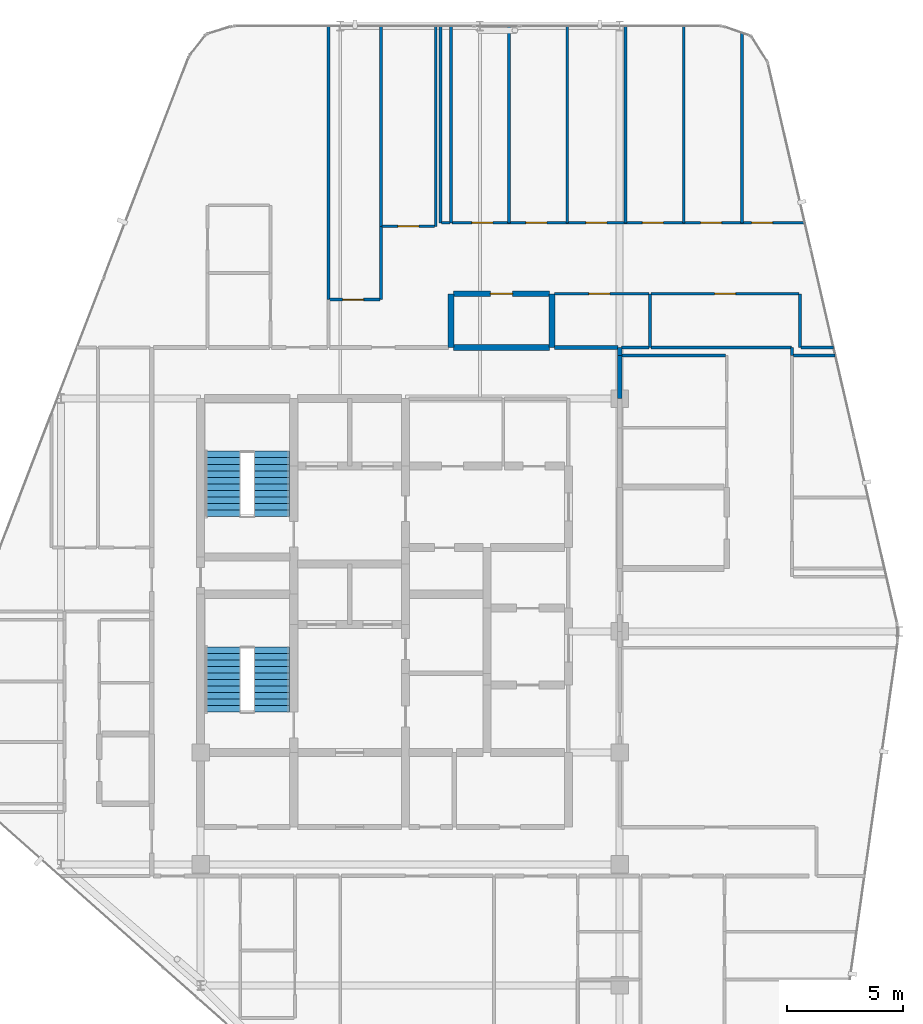
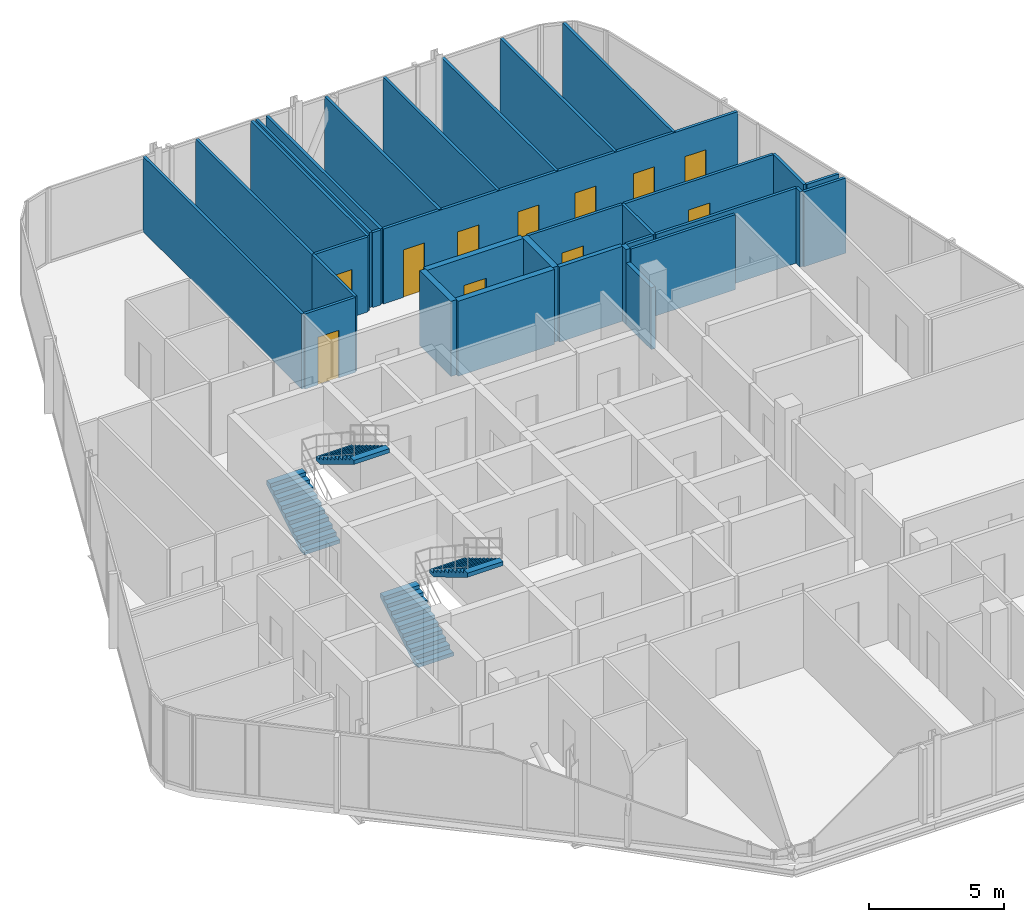
# One storey, part 29 of 30: 32 walls, 11 doors, 4 stair flights, 11 openings, 2 elements without a shape of their own.
"""IFC4 building model written with IfcOpenShell, lengths in metres."""

import ifcopenshell
import ifcopenshell.guid

model = None  # the IFC model being written
_history = None  # IfcOwnerHistory: only IFC2X3 demands one
_inside = {}  # id of a spatial element -> (the spatial element, [elements in it])
_under = {}  # id of a project, library or spatial element -> (it, [spatial elements below it])
_declared = {}  # id of a project -> (the project, [libraries it declares])
_typed = {}  # id of a type object -> (the type object, [elements of that type])
_made_of = {}  # id of a material, layer set ... -> (it, [elements and type objects made of it])


def new_model(schema):
    """Start an empty IFC model of exactly this schema.

    Asked for "IFC4X3", IfcOpenShell would pick the latest addendum, in which some entities
    have other attributes; the version numbers below select the first issue.
    IFC2X3 requires an IfcOwnerHistory on every rooted entity: one is made here for all.
    """
    global model, _history
    if schema == "IFC4X3":
        model = ifcopenshell.file(schema_version=(4, 3, 0, 0))
    else:
        model = ifcopenshell.file(schema=schema)
    _inside.clear()
    _under.clear()
    _declared.clear()
    _typed.clear()
    _made_of.clear()
    _history = None
    if model.schema == "IFC2X3":
        org = make("IfcOrganization", Name="unknown")
        user = make(
            "IfcPersonAndOrganization",
            ThePerson=make("IfcPerson", FamilyName="unknown"),
            TheOrganization=org,
        )
        app = make(
            "IfcApplication",
            ApplicationDeveloper=org,
            Version="unknown",
            ApplicationFullName="unknown",
            ApplicationIdentifier="unknown",
        )
        _history = make(
            "IfcOwnerHistory",
            OwningUser=user,
            OwningApplication=app,
            ChangeAction="ADDED",
            CreationDate=0,
        )
    return model


def make(cls, **values):
    """One entity of the class cls with the attributes given. An attribute that is None is left unset."""
    return model.create_entity(
        cls, **{name: value for name, value in values.items() if value is not None}
    )


def rooted(cls, **values):
    """An entity with a GlobalId (a new one), such as an element, a storey or a relation."""
    return make(cls, GlobalId=ifcopenshell.guid.new(), OwnerHistory=_history, **values)


def si_unit(unit_type, name, prefix=None):
    """IfcSIUnit, for example si_unit("LENGTHUNIT", "METRE", prefix="MILLI")."""
    return make("IfcSIUnit", UnitType=unit_type, Prefix=prefix, Name=name)


def assignment(units):
    """IfcUnitAssignment: the units of a project."""
    return None if units is None else make("IfcUnitAssignment", Units=units)


def point(xyz):
    """IfcCartesianPoint."""
    return None if xyz is None else make("IfcCartesianPoint", Coordinates=xyz)


def direction(xyz):
    """IfcDirection."""
    return None if xyz is None else make("IfcDirection", DirectionRatios=xyz)


def frame(location, z_axis=None, x_axis=None):
    """IfcAxis2Placement3D, a coordinate frame: its origin and axes. An axis left out is left unset."""
    return make(
        "IfcAxis2Placement3D",
        Location=point(location),
        Axis=direction(z_axis),
        RefDirection=direction(x_axis),
    )


def frame_2d(location, x_axis=None):
    """IfcAxis2Placement2D, a coordinate frame in the plane: its origin and x axis."""
    return make(
        "IfcAxis2Placement2D", Location=point(location), RefDirection=direction(x_axis)
    )


def origin():
    """The frame at (0, 0, 0) with its axes left unset."""
    return frame((0.0, 0.0, 0.0))


def place(relative_to, where):
    """IfcLocalPlacement: puts the frame where relative to a parent placement (None: the world)."""
    return make(
        "IfcLocalPlacement", PlacementRelTo=relative_to, RelativePlacement=where
    )


def context(
    kind, dimensions, precision=None, world=None, true_north=None, identifier=None
):
    """IfcGeometricRepresentationContext, for example the 3D "Model" context."""
    return make(
        "IfcGeometricRepresentationContext",
        ContextIdentifier=identifier,
        ContextType=kind,
        CoordinateSpaceDimension=dimensions,
        Precision=precision,
        WorldCoordinateSystem=world,
        TrueNorth=true_north,
    )


def subcontext(parent, identifier, kind, view, scale=None):
    """IfcGeometricRepresentationSubContext, for example "Body" below "Model"."""
    return make(
        "IfcGeometricRepresentationSubContext",
        ContextIdentifier=identifier,
        ContextType=kind,
        ParentContext=parent,
        TargetScale=scale,
        TargetView=view,
    )


def project(units=None, contexts=None):
    """IfcProject with its units and contexts."""
    return rooted(
        "IfcProject",
        Name="project",
        RepresentationContexts=contexts,
        UnitsInContext=assignment(units),
    )


def spatial(cls, under=None, at=None, **own):
    """A site, building, storey or space (cls), placed at a placement, below another one or the project."""
    s = rooted(cls, ObjectPlacement=at, **own)
    if under is not None:
        _under.setdefault(under.id(), (under, []))[1].append(s)
    return s


def polyline(points):
    """IfcPolyline through the points."""
    return make("IfcPolyline", Points=[point(p) for p in points])


def profile(cls, at=None, kind="AREA", **sizes):
    """A parametric profile (cls). Its sizes go by their IFC names, for example OverallWidth=200.0."""
    return make(cls, ProfileType=kind, Position=at, **sizes)


def rectangle(**sizes):
    """IfcRectangleProfileDef."""
    return profile("IfcRectangleProfileDef", **sizes)


def outline(outer, holes=None, kind="AREA"):
    """IfcArbitraryClosedProfileDef: a profile drawn as a closed curve; with holes, ...WithVoids."""
    if holes is None:
        return make("IfcArbitraryClosedProfileDef", ProfileType=kind, OuterCurve=outer)
    return make(
        "IfcArbitraryProfileDefWithVoids",
        ProfileType=kind,
        OuterCurve=outer,
        InnerCurves=holes,
    )


def extrude(swept, where, along, depth):
    """IfcExtrudedAreaSolid: the profile swept, set in the frame where, extruded along a direction by depth."""
    return make(
        "IfcExtrudedAreaSolid",
        SweptArea=swept,
        Position=where,
        ExtrudedDirection=direction(along),
        Depth=depth,
    )


def shape(context_of_items, identifier, shape_type, items):
    """IfcShapeRepresentation: the items that make up one representation, for example the "Body"."""
    return make(
        "IfcShapeRepresentation",
        ContextOfItems=context_of_items,
        RepresentationIdentifier=identifier,
        RepresentationType=shape_type,
        Items=items,
    )


def material(Name=None, Category=None):
    """IfcMaterial."""
    return make("IfcMaterial", Name=Name, Category=Category)


def layer(
    of_material, thickness, ventilated=None, Name=None, Category=None, Priority=None
):
    """IfcMaterialLayer: one layer of a wall or slab, of a material (None: an air gap)."""
    return make(
        "IfcMaterialLayer",
        Material=of_material,
        LayerThickness=thickness,
        IsVentilated=ventilated,
        Name=Name,
        Category=Category,
        Priority=Priority,
    )


def layer_set(layers, Name=None):
    """IfcMaterialLayerSet."""
    return make("IfcMaterialLayerSet", MaterialLayers=layers, LayerSetName=Name)


def made_of(thing, what):
    """Note that an element or type object is made of a material, layer set ...; save() writes the relation."""
    if what is not None:
        _made_of.setdefault(what.id(), (what, []))[1].append(thing)
    return thing


def type_object(cls, material=None, **own):
    """A type object (cls), such as IfcWallType, which elements share."""
    return made_of(rooted(cls, **own), material)


def element(
    cls,
    number,
    at=None,
    inside=None,
    cuts=None,
    type_object=None,
    material=None,
    context=None,
    identifier="Body",
    shape_type=None,
    held_by="IfcProductDefinitionShape",
    body=None,
    shapes=None,
    **own,
):
    """One element of the class cls, such as IfcWall. Its Tag is "e" and its number.

    at: its placement. inside: the storey or other place that contains it. cuts: it is an
    opening in that element (IfcRelVoidsElement). A single representation is given by context,
    identifier, shape_type and body (its items); several are given by shapes. held_by: the class
    of the entity that holds the representations. save() writes the other relations.
    """
    e = rooted(cls, Tag="e%d" % number, ObjectPlacement=at, **own)
    if body is not None:
        shapes = [shape(context, identifier, shape_type, body)]
    if shapes is not None:
        e.Representation = make(held_by, Representations=shapes)
    if inside is not None:
        _inside.setdefault(inside.id(), (inside, []))[1].append(e)
    if cuts is not None:
        rooted(
            "IfcRelVoidsElement", RelatingBuildingElement=cuts, RelatedOpeningElement=e
        )
    if type_object is not None:
        _typed.setdefault(type_object.id(), (type_object, []))[1].append(e)
    return made_of(e, material)


def fill(opening, filler):
    """IfcRelFillsElement: the door or window that sits in an opening."""
    return rooted(
        "IfcRelFillsElement",
        RelatingOpeningElement=opening,
        RelatedBuildingElement=filler,
    )


def aggregate(whole, parts):
    """IfcRelAggregates: a whole, such as a stair, and the parts it consists of."""
    return rooted("IfcRelAggregates", RelatingObject=whole, RelatedObjects=parts)


def save(model, path):
    """Write the relations noted so far, then the file.

    IfcRelAggregates (storeys below a building ...), IfcRelContainedInSpatialStructure (elements
    in a storey), IfcRelDefinesByType, IfcRelAssociatesMaterial and IfcRelDeclares: one each for
    every whole, place, type object, material and project.
    """
    for whole, parts in _under.values():
        aggregate(whole, parts)
    for where, things in _inside.values():
        rooted(
            "IfcRelContainedInSpatialStructure",
            RelatedElements=things,
            RelatingStructure=where,
        )
    for kind, things in _typed.values():
        rooted("IfcRelDefinesByType", RelatedObjects=things, RelatingType=kind)
    for what, things in _made_of.values():
        rooted("IfcRelAssociatesMaterial", RelatedObjects=things, RelatingMaterial=what)
    for by, libraries in _declared.values():
        rooted("IfcRelDeclares", RelatingContext=by, RelatedDefinitions=libraries)
    model.write(path)


model = new_model("IFC4")

# Units and contexts
model_context = context("Model", 3, precision=1e-05, world=origin(), true_north=direction((0.0, 1.0)))
body_context = subcontext(model_context, "Body", "Model", "MODEL_VIEW")
ifc_project = project(units=[si_unit("LENGTHUNIT", "METRE"), si_unit("AREAUNIT", "SQUARE_METRE"), si_unit("VOLUMEUNIT", "CUBIC_METRE"), si_unit("PLANEANGLEUNIT", "RADIAN"), si_unit("MASSUNIT", "GRAM", prefix="KILO")], contexts=[model_context])

# Site, building, storey
site_placement = place(None, origin())
site = spatial("IfcSite", under=ifc_project, at=site_placement, CompositionType="ELEMENT")
building_placement = place(site_placement, origin())
building = spatial("IfcBuilding", under=site, at=building_placement, Name="Keshet Zoharim Tower", CompositionType="ELEMENT")
storey_placement = place(building_placement, frame((0.0, 0.0, 280.60009765625)))
storey = spatial("IfcBuildingStorey", under=building, at=storey_placement, Name="L70", CompositionType="ELEMENT", Elevation=280.60009765625)

# Walls
ifc_material_1 = material(Name="Gypsum Plasterboard", Category="gypsum")
ifc_layer_1 = layer(ifc_material_1, 0.179931640625)
ifc_layer_set_1 = layer_set([ifc_layer_1], Name="Gypsum Plasterboard")
wall_type_1 = type_object("IfcWallType", Name="WL-CORR-180", PredefinedType="STANDARD", material=ifc_layer_set_1)
wall_1_placement = place(storey_placement, frame((33.0, 39.75, 0.0), z_axis=(0.0, 0.0, 1.0), x_axis=(0.0, 1.0, 0.0)))
element("IfcWall", 1, at=wall_1_placement, inside=storey, type_object=wall_type_1, Name="L70 Interior Wall 074", PredefinedType="STANDARD", context=body_context, shape_type="SweptSolid", body=[
    extrude(rectangle(XDim=0.35009765625, YDim=0.179931640625, at=frame_2d((0.175048828125, 0.0))), origin(), (0.0, 0.0, 1.0), 3.389892578125),
])
wall_2_placement = place(storey_placement, frame((30.2099609375, 40.10009765625, 0.0), z_axis=(0.0, 0.0, 1.0), x_axis=(1.0, 0.0, 0.0)))
element("IfcWall", 2, at=wall_2_placement, inside=storey, type_object=wall_type_1, Name="L70 Interior Wall 165", PredefinedType="STANDARD", context=body_context, shape_type="SweptSolid", body=[
    extrude(rectangle(XDim=2.715087890625, YDim=0.179931640625, at=frame_2d((1.357421875, 0.0))), origin(), (0.0, 0.0, 1.0), 3.389892578125),
])
wall_3_placement = place(storey_placement, frame((33.0, 37.89990234375, 0.0), z_axis=(0.0, 0.0, 1.0), x_axis=(0.0, 1.0, 0.0)))
element("IfcWall", 3, at=wall_3_placement, inside=storey, type_object=wall_type_1, Name="L70 Interior Wall 073 Part 2", PredefinedType="STANDARD", context=body_context, shape_type="SweptSolid", body=[
    extrude(rectangle(XDim=1.85009765625, YDim=0.179931640625, at=frame_2d((0.925048828125, 0.0))), origin(), (0.0, 0.0, 1.0), 2.789794921875),
])
ifc_material_2 = material(Name="Concrete C50/60", Category="concrete")
ifc_layer_2 = layer(ifc_material_2, 0.25)
ifc_layer_set_2 = layer_set([ifc_layer_2], Name="Concrete C50/60")
wall_type_2 = type_object("IfcWallType", Name="WL-MAMAD-250", PredefinedType="STANDARD", material=ifc_layer_set_2)
for number, where, z_axis, x_axis, name in (
    (4, (25.75, 40.10009765625, 0.0), (0.0, 0.0, 1.0), (0.0, 1.0, 0.0), "L70 Interior Wall 048"),
    (5, (30.10009765625, 40.10009765625, 0.0), (0.0, 0.0, 1.0), (0.0, 1.0, 0.0), "L70 Interior Wall 058"),
):
    element("IfcWall", number, at=place(storey_placement, frame(where, z_axis=z_axis, x_axis=x_axis)), inside=storey, type_object=wall_type_2, Name=name, PredefinedType="STANDARD", context=body_context, shape_type="SweptSolid", body=[
        extrude(rectangle(XDim=2.2998046875, YDim=0.25, at=frame_2d((1.14990234375, 0.0))), origin(), (0.0, 0.0, 1.0), 3.389892578125),
    ])
wall_4_placement = place(storey_placement, frame((25.860107421875, 40.10009765625, 0.0), z_axis=(0.0, 0.0, 1.0), x_axis=(1.0, 0.0, 0.0)))
element("IfcWall", 6, at=wall_4_placement, inside=storey, type_object=wall_type_2, Name="L70 Interior Wall 164", PredefinedType="STANDARD", context=body_context, shape_type="SweptSolid", body=[
    extrude(rectangle(XDim=4.1298828125, YDim=0.25, at=frame_2d((2.06494140625, 0.0))), origin(), (0.0, 0.0, 1.0), 3.389892578125),
])

# Wall, opening, door
wall_5_placement = place(storey_placement, frame((25.860107421875, 42.39990234375, 0.0), z_axis=(0.0, 0.0, 1.0), x_axis=(1.0, 0.0, 0.0)))
wall_5 = element("IfcWall", 7, at=wall_5_placement, inside=storey, type_object=wall_type_2, Name="L70 Interior Wall 170", PredefinedType="STANDARD", context=body_context, shape_type="SweptSolid", body=[
    extrude(rectangle(XDim=4.1298828125, YDim=0.25, at=frame_2d((2.06494140625, 0.0))), origin(), (0.0, 0.0, 1.0), 3.389892578125),
])
opening_1_placement = place(wall_5_placement, frame((1.590087890625, 0.0, 0.0)))
opening_1 = element("IfcOpeningElement", 8, at=opening_1_placement, cuts=wall_5, Name="Opening D-F695", PredefinedType="OPENING", context=body_context, shape_type="SweptSolid", body=[
    extrude(rectangle(XDim=0.949951171875, YDim=2.14990234375, at=frame_2d((0.47509765625, 1.074951171875))), frame((0.0, 0.135009765625, 0.0), z_axis=(0.0, -1.0, 0.0), x_axis=(1.0, 0.0, 0.0)), (0.0, 0.0, 1.0), 0.27001953125),
])
ifc_material_3 = material(Name="Hardwood Timber", Category="wood")
door_type_1 = type_object("IfcDoorType", Name="DR-FD60-095", OperationType="NOTDEFINED", PredefinedType="DOOR", material=ifc_material_3)
door_1_placement = place(opening_1_placement, origin())
door_1 = element("IfcDoor", 9, at=door_1_placement, inside=storey, type_object=door_type_1, Name="Apartment 7005 Study and Shelter Room Door", OperationType="SINGLE_SWING_LEFT", OverallHeight=2.14990234375, OverallWidth=0.949951171875, PredefinedType="DOOR", context=body_context, shape_type="SweptSolid", body=[
    extrude(rectangle(XDim=0.949951171875, YDim=2.14990234375, at=frame_2d((0.47509765625, 1.074951171875))), frame((0.0, 0.02490234375, 0.0), z_axis=(0.0, -1.0, 0.0), x_axis=(1.0, 0.0, 0.0)), (0.0, 0.0, 1.0), 0.050048828125),
])
fill(opening_1, door_1)

# Walls
ifc_layer_3 = layer(ifc_material_1, 0.1201171875)
ifc_layer_set_3 = layer_set([ifc_layer_3], Name="Gypsum Plasterboard")
wall_type_3 = type_object("IfcWallType", Name="WL-PART-120", PredefinedType="PARTITIONING", material=ifc_layer_set_3)
wall_6_placement = place(storey_placement, frame((20.5, 42.14990234375, 0.0), z_axis=(0.0, 0.0, 1.0), x_axis=(0.0, 1.0, 0.0)))
element("IfcWall", 10, at=wall_6_placement, inside=storey, type_object=wall_type_3, Name="L70 Interior Wall 034", PredefinedType="PARTITIONING", context=body_context, shape_type="SweptSolid", body=[
    extrude(rectangle(XDim=11.739990234375, YDim=0.1201171875, at=frame_2d((5.8701171875, 0.0))), origin(), (0.0, 0.0, 1.0), 3.389892578125),
])
wall_7_placement = place(storey_placement, frame((22.75, 42.14990234375, 0.0), z_axis=(0.0, 0.0, 1.0), x_axis=(0.0, 1.0, 0.0)))
element("IfcWall", 11, at=wall_7_placement, inside=storey, type_object=wall_type_3, Name="L70 Interior Wall 038", PredefinedType="PARTITIONING", context=body_context, shape_type="SweptSolid", body=[
    extrude(rectangle(XDim=3.150146484375, YDim=0.1201171875, at=frame_2d((1.5751953125, 0.0))), origin(), (0.0, 0.0, 1.0), 3.389892578125),
])
for number, where, z_axis, x_axis, name in (
    (12, (22.75, 45.300048828125, 0.0), (0.0, 0.0, 1.0), (0.0, 1.0, 0.0), "L70 Interior Wall 039"),
    (13, (25.10009765625, 45.300048828125, 0.0), (0.0, 0.0, 1.0), (0.0, 1.0, 0.0), "L70 Interior Wall 046"),
):
    element("IfcWall", number, at=place(storey_placement, frame(where, z_axis=z_axis, x_axis=x_axis)), inside=storey, type_object=wall_type_3, Name=name, PredefinedType="PARTITIONING", context=body_context, shape_type="SweptSolid", body=[
        extrude(rectangle(XDim=8.58984375, YDim=0.1201171875, at=frame_2d((4.294921875, 0.0))), origin(), (0.0, 0.0, 1.0), 3.389892578125),
    ])
for number, where, z_axis, x_axis, name in (
    (14, (25.300048828125, 45.449951171875, 0.0), (0.0, 0.0, 1.0), (0.0, 1.0, 0.0), "L70 Interior Wall 047"),
    (15, (25.75, 45.449951171875, 0.0), (0.0, 0.0, 1.0), (0.0, 1.0, 0.0), "L70 Interior Wall 049"),
    (16, (28.25, 45.449951171875, 0.0), (0.0, 0.0, 1.0), (0.0, 1.0, 0.0), "L70 Interior Wall 057"),
    (17, (30.75, 45.449951171875, 0.0), (0.0, 0.0, 1.0), (0.0, 1.0, 0.0), "L70 Interior Wall 059"),
    (18, (33.25, 45.449951171875, 0.0), (0.0, 0.0, 1.0), (0.0, 1.0, 0.0), "L70 Interior Wall 075"),
    (19, (35.75, 45.449951171875, 0.0), (0.0, 0.0, 1.0), (0.0, 1.0, 0.0), "L70 Interior Wall 080"),
):
    element("IfcWall", number, at=place(storey_placement, frame(where, z_axis=z_axis, x_axis=x_axis)), inside=storey, type_object=wall_type_3, Name=name, PredefinedType="PARTITIONING", context=body_context, shape_type="SweptSolid", body=[
        extrude(rectangle(XDim=8.43994140625, YDim=0.1201171875, at=frame_2d((4.219970703125, 0.0))), origin(), (0.0, 0.0, 1.0), 3.389892578125),
    ])
wall_8_placement = place(storey_placement, frame((38.25, 45.449951171875, 0.0), z_axis=(0.0, 0.0, 1.0), x_axis=(0.0, 1.0, 0.0)))
element("IfcWall", 20, at=wall_8_placement, inside=storey, type_object=wall_type_3, Name="L70 Interior Wall 087", PredefinedType="PARTITIONING", context=body_context, shape_type="SweptSolid", body=[
    extrude(rectangle(XDim=8.14599609375, YDim=0.1201171875, at=frame_2d((4.072998046875, 0.0))), origin(), (0.0, 0.0, 1.0), 3.389892578125),
])
wall_9_placement = place(storey_placement, frame((40.39990234375, 39.75, 0.0), z_axis=(0.0, 0.0, 1.0), x_axis=(0.0, 1.0, 0.0)))
element("IfcWall", 21, at=wall_9_placement, inside=storey, type_object=wall_type_3, Name="L70 Interior Wall 090", PredefinedType="PARTITIONING", context=body_context, shape_type="SweptSolid", body=[
    extrude(rectangle(XDim=0.35009765625, YDim=0.1201171875, at=frame_2d((0.175048828125, 0.0))), origin(), (0.0, 0.0, 1.0), 3.389892578125),
])
wall_10_placement = place(storey_placement, frame((40.75, 40.10009765625, 0.0), z_axis=(0.0, 0.0, 1.0), x_axis=(0.0, 1.0, 0.0)))
element("IfcWall", 22, at=wall_10_placement, inside=storey, type_object=wall_type_3, Name="L70 Interior Wall 091", PredefinedType="PARTITIONING", context=body_context, shape_type="SweptSolid", body=[
    extrude(rectangle(XDim=2.2998046875, YDim=0.1201171875, at=frame_2d((1.14990234375, 0.0))), origin(), (0.0, 0.0, 1.0), 3.389892578125),
])
wall_11_placement = place(storey_placement, frame((33.074951171875, 39.75, 0.0), z_axis=(0.0, 0.0, 1.0), x_axis=(1.0, 0.0, 0.0)))
element("IfcWall", 23, at=wall_11_placement, inside=storey, type_object=wall_type_3, Name="L70 Interior Wall 156", PredefinedType="PARTITIONING", context=body_context, shape_type="SweptSolid", body=[
    extrude(rectangle(XDim=4.4599609375, YDim=0.1201171875, at=frame_2d((2.22998046875, 0.0))), origin(), (0.0, 0.0, 1.0), 3.389892578125),
])
wall_12_placement = place(storey_placement, frame((40.465087890625, 39.75, 0.0), z_axis=(0.0, 0.0, 1.0), x_axis=(1.0, 0.0, 0.0)))
element("IfcWall", 24, at=wall_12_placement, inside=storey, type_object=wall_type_3, Name="L70 Interior Wall 157", PredefinedType="PARTITIONING", context=body_context, shape_type="SweptSolid", body=[
    extrude(rectangle(XDim=1.789794921875, YDim=0.1201171875, at=frame_2d((0.89501953125, 0.0))), origin(), (0.0, 0.0, 1.0), 3.389892578125),
])
wall_13_placement = place(storey_placement, frame((34.344970703125, 40.10009765625, 0.0), z_axis=(0.0, 0.0, 1.0), x_axis=(1.0, 0.0, 0.0)))
element("IfcWall", 25, at=wall_13_placement, inside=storey, type_object=wall_type_3, Name="L70 Interior Wall 167", PredefinedType="PARTITIONING", context=body_context, shape_type="SweptSolid", body=[
    extrude(rectangle(XDim=6.030029296875, YDim=0.1201171875, at=frame_2d((3.01513671875, 0.0))), origin(), (0.0, 0.0, 1.0), 3.389892578125),
])
wall_14_placement = place(storey_placement, frame((40.7958984375, 40.10009765625, 0.0), z_axis=(0.0, 0.0, 1.0), x_axis=(1.0, 0.0, 0.0)))
element("IfcWall", 26, at=wall_14_placement, inside=storey, type_object=wall_type_3, Name="L70 Interior Wall 168", PredefinedType="PARTITIONING", context=body_context, shape_type="SweptSolid", body=[
    extrude(rectangle(XDim=1.379150390625, YDim=0.1201171875, at=frame_2d((0.689453125, 0.0))), origin(), (0.0, 0.0, 1.0), 3.389892578125),
])

# Wall, opening, door
wall_15_placement = place(storey_placement, frame((20.544921875, 42.14990234375, 0.0), z_axis=(0.0, 0.0, 1.0), x_axis=(1.0, 0.0, 0.0)))
wall_15 = element("IfcWall", 27, at=wall_15_placement, inside=storey, type_object=wall_type_3, Name="L70 Interior Wall 169", PredefinedType="PARTITIONING", context=body_context, shape_type="SweptSolid", body=[
    extrude(rectangle(XDim=2.16015625, YDim=0.1201171875, at=frame_2d((1.080078125, 0.0))), origin(), (0.0, 0.0, 1.0), 3.389892578125),
])
opening_2_placement = place(wall_15_placement, frame((0.552978515625, 0.0, 0.0)))
opening_2 = element("IfcOpeningElement", 28, at=opening_2_placement, cuts=wall_15, Name="Opening D-IN90", PredefinedType="OPENING", context=body_context, shape_type="SweptSolid", body=[
    extrude(rectangle(XDim=0.89990234375, YDim=2.14990234375, at=frame_2d((0.449951171875, 1.074951171875))), frame((0.0, 0.070068359375, 0.0), z_axis=(0.0, -1.0, 0.0), x_axis=(1.0, 0.0, 0.0)), (0.0, 0.0, 1.0), 0.14013671875),
])
door_type_2 = type_object("IfcDoorType", Name="DR-INT-090", OperationType="NOTDEFINED", PredefinedType="DOOR", material=ifc_material_3)
door_2_placement = place(opening_2_placement, origin())
door_2 = element("IfcDoor", 29, at=door_2_placement, inside=storey, type_object=door_type_2, Name="Apartment 7005 Formal Dining Room Door", OperationType="SINGLE_SWING_RIGHT", OverallHeight=2.14990234375, OverallWidth=0.89990234375, PredefinedType="DOOR", context=body_context, shape_type="SweptSolid", body=[
    extrude(rectangle(XDim=0.89990234375, YDim=2.14990234375, at=frame_2d((0.449951171875, 1.074951171875))), frame((0.0, 0.02490234375, 0.0), z_axis=(0.0, -1.0, 0.0), x_axis=(1.0, 0.0, 0.0)), (0.0, 0.0, 1.0), 0.050048828125),
])
fill(opening_2, door_2)

wall_16_placement = place(storey_placement, frame((34.344970703125, 42.39990234375, 0.0), z_axis=(0.0, 0.0, 1.0), x_axis=(1.0, 0.0, 0.0)))
wall_16 = element("IfcWall", 30, at=wall_16_placement, inside=storey, type_object=wall_type_3, Name="L70 Interior Wall 172", PredefinedType="PARTITIONING", context=body_context, shape_type="SweptSolid", body=[
    extrude(rectangle(XDim=6.361083984375, YDim=0.1201171875, at=frame_2d((3.1806640625, 0.0))), origin(), (0.0, 0.0, 1.0), 3.389892578125),
])
opening_3_placement = place(wall_16_placement, frame((2.73095703125, 0.0, 0.0)))
opening_3 = element("IfcOpeningElement", 31, at=opening_3_placement, cuts=wall_16, Name="Opening D-IN90", PredefinedType="OPENING", context=body_context, shape_type="SweptSolid", body=[
    extrude(rectangle(XDim=0.89990234375, YDim=2.14990234375, at=frame_2d((0.449951171875, 1.074951171875))), frame((0.0, 0.070068359375, 0.0), z_axis=(0.0, -1.0, 0.0), x_axis=(1.0, 0.0, 0.0)), (0.0, 0.0, 1.0), 0.14013671875),
])
door_3_placement = place(opening_3_placement, origin())
door_3 = element("IfcDoor", 32, at=door_3_placement, inside=storey, type_object=door_type_2, Name="Apartment 7005 Kitchen Door", OperationType="SINGLE_SWING_LEFT", OverallHeight=2.14990234375, OverallWidth=0.89990234375, PredefinedType="DOOR", context=body_context, shape_type="SweptSolid", body=[
    extrude(rectangle(XDim=0.89990234375, YDim=2.14990234375, at=frame_2d((0.449951171875, 1.074951171875))), frame((0.0, 0.02490234375, 0.0), z_axis=(0.0, -1.0, 0.0), x_axis=(1.0, 0.0, 0.0)), (0.0, 0.0, 1.0), 0.050048828125),
])
fill(opening_3, door_3)

wall_17_placement = place(storey_placement, frame((22.794921875, 45.300048828125, 0.0), z_axis=(0.0, 0.0, 1.0), x_axis=(1.0, 0.0, 0.0)))
wall_17 = element("IfcWall", 33, at=wall_17_placement, inside=storey, type_object=wall_type_3, Name="L70 Interior Wall 174", PredefinedType="PARTITIONING", context=body_context, shape_type="SweptSolid", body=[
    extrude(rectangle(XDim=2.260009765625, YDim=0.1201171875, at=frame_2d((1.1298828125, 0.0))), origin(), (0.0, 0.0, 1.0), 3.389892578125),
])
opening_4_placement = place(wall_17_placement, frame((0.679931640625, 0.0, 0.0)))
opening_4 = element("IfcOpeningElement", 34, at=opening_4_placement, cuts=wall_17, Name="Opening D-IN90", PredefinedType="OPENING", context=body_context, shape_type="SweptSolid", body=[
    extrude(rectangle(XDim=0.89990234375, YDim=2.14990234375, at=frame_2d((0.449951171875, 1.074951171875))), frame((0.0, 0.070068359375, 0.0), z_axis=(0.0, -1.0, 0.0), x_axis=(1.0, 0.0, 0.0)), (0.0, 0.0, 1.0), 0.14013671875),
])
door_4_placement = place(opening_4_placement, origin())
door_4 = element("IfcDoor", 35, at=door_4_placement, inside=storey, type_object=door_type_2, Name="Apartment 7005 Home Study Room Door", OperationType="SINGLE_SWING_RIGHT", OverallHeight=2.14990234375, OverallWidth=0.89990234375, PredefinedType="DOOR", context=body_context, shape_type="SweptSolid", body=[
    extrude(rectangle(XDim=0.89990234375, YDim=2.14990234375, at=frame_2d((0.449951171875, 1.074951171875))), frame((0.0, 0.02490234375, 0.0), z_axis=(0.0, -1.0, 0.0), x_axis=(1.0, 0.0, 0.0)), (0.0, 0.0, 1.0), 0.050048828125),
])
fill(opening_4, door_4)

# Wall
wall_18_placement = place(storey_placement, frame((25.344970703125, 45.449951171875, 0.0), z_axis=(0.0, 0.0, 1.0), x_axis=(1.0, 0.0, 0.0)))
element("IfcWall", 36, at=wall_18_placement, inside=storey, type_object=wall_type_3, Name="L70 Interior Wall 175", PredefinedType="PARTITIONING", context=body_context, shape_type="SweptSolid", body=[
    extrude(rectangle(XDim=0.360107421875, YDim=0.1201171875, at=frame_2d((0.18017578125, 0.0))), origin(), (0.0, 0.0, 1.0), 3.389892578125),
])

# Wall, openings, doors
wall_19_placement = place(storey_placement, frame((25.794921875, 45.449951171875, 0.0), z_axis=(0.0, 0.0, 1.0), x_axis=(1.0, 0.0, 0.0)))
wall_19 = element("IfcWall", 37, at=wall_19_placement, inside=storey, type_object=wall_type_3, Name="L70 Interior Wall 176", PredefinedType="PARTITIONING", context=body_context, shape_type="SweptSolid", body=[
    extrude(rectangle(XDim=15.14501953125, YDim=0.1201171875, at=frame_2d((7.572509765625, 0.0))), origin(), (0.0, 0.0, 1.0), 3.389892578125),
])
opening_5_placement = place(wall_19_placement, frame((0.85595703125, 0.0, 0.0)))
opening_5 = element("IfcOpeningElement", 38, at=opening_5_placement, cuts=wall_19, Name="Opening D-IN90", PredefinedType="OPENING", context=body_context, shape_type="SweptSolid", body=[
    extrude(rectangle(XDim=0.89990234375, YDim=2.14990234375, at=frame_2d((0.449951171875, 1.074951171875))), frame((0.0, 0.070068359375, 0.0), z_axis=(0.0, -1.0, 0.0), x_axis=(1.0, 0.0, 0.0)), (0.0, 0.0, 1.0), 0.14013671875),
])
opening_6_placement = place(wall_19_placement, frame((3.178955078125, 0.0, 0.0)))
opening_6 = element("IfcOpeningElement", 39, at=opening_6_placement, cuts=wall_19, Name="Opening D-IN90", PredefinedType="OPENING", context=body_context, shape_type="SweptSolid", body=[
    extrude(rectangle(XDim=0.89990234375, YDim=2.14990234375, at=frame_2d((0.449951171875, 1.074951171875))), frame((0.0, 0.070068359375, 0.0), z_axis=(0.0, -1.0, 0.0), x_axis=(1.0, 0.0, 0.0)), (0.0, 0.0, 1.0), 0.14013671875),
])
opening_7_placement = place(wall_19_placement, frame((5.756103515625, 0.0, 0.0)))
opening_7 = element("IfcOpeningElement", 40, at=opening_7_placement, cuts=wall_19, Name="Opening D-IN90", PredefinedType="OPENING", context=body_context, shape_type="SweptSolid", body=[
    extrude(rectangle(XDim=0.89990234375, YDim=2.14990234375, at=frame_2d((0.449951171875, 1.074951171875))), frame((0.0, 0.070068359375, 0.0), z_axis=(0.0, -1.0, 0.0), x_axis=(1.0, 0.0, 0.0)), (0.0, 0.0, 1.0), 0.14013671875),
])
opening_8_placement = place(wall_19_placement, frame((8.179931640625, 0.0, 0.0)))
opening_8 = element("IfcOpeningElement", 41, at=opening_8_placement, cuts=wall_19, Name="Opening D-IN90", PredefinedType="OPENING", context=body_context, shape_type="SweptSolid", body=[
    extrude(rectangle(XDim=0.89990234375, YDim=2.14990234375, at=frame_2d((0.449951171875, 1.074951171875))), frame((0.0, 0.070068359375, 0.0), z_axis=(0.0, -1.0, 0.0), x_axis=(1.0, 0.0, 0.0)), (0.0, 0.0, 1.0), 0.14013671875),
])
opening_9_placement = place(wall_19_placement, frame((10.679931640625, 0.0, 0.0)))
opening_9 = element("IfcOpeningElement", 42, at=opening_9_placement, cuts=wall_19, Name="Opening D-IN90", PredefinedType="OPENING", context=body_context, shape_type="SweptSolid", body=[
    extrude(rectangle(XDim=0.89990234375, YDim=2.14990234375, at=frame_2d((0.449951171875, 1.074951171875))), frame((0.0, 0.070068359375, 0.0), z_axis=(0.0, -1.0, 0.0), x_axis=(1.0, 0.0, 0.0)), (0.0, 0.0, 1.0), 0.14013671875),
])
opening_10_placement = place(wall_19_placement, frame((12.876953125, 0.0, 0.0)))
opening_10 = element("IfcOpeningElement", 43, at=opening_10_placement, cuts=wall_19, Name="Opening D-IN90", PredefinedType="OPENING", context=body_context, shape_type="SweptSolid", body=[
    extrude(rectangle(XDim=0.89990234375, YDim=2.14990234375, at=frame_2d((0.449951171875, 1.074951171875))), frame((0.0, 0.070068359375, 0.0), z_axis=(0.0, -1.0, 0.0), x_axis=(1.0, 0.0, 0.0)), (0.0, 0.0, 1.0), 0.14013671875),
])
door_5_placement = place(opening_5_placement, origin())
door_5 = element("IfcDoor", 44, at=door_5_placement, inside=storey, type_object=door_type_2, Name="Apartment 7005 Bedroom 1 Door", OperationType="SINGLE_SWING_LEFT", OverallHeight=2.14990234375, OverallWidth=0.89990234375, PredefinedType="DOOR", context=body_context, shape_type="SweptSolid", body=[
    extrude(rectangle(XDim=0.89990234375, YDim=2.14990234375, at=frame_2d((0.449951171875, 1.074951171875))), frame((0.0, 0.02490234375, 0.0), z_axis=(0.0, -1.0, 0.0), x_axis=(1.0, 0.0, 0.0)), (0.0, 0.0, 1.0), 0.050048828125),
])
fill(opening_5, door_5)
door_6_placement = place(opening_6_placement, origin())
door_6 = element("IfcDoor", 45, at=door_6_placement, inside=storey, type_object=door_type_2, Name="Apartment 7005 Bedroom 2 Door", OperationType="SINGLE_SWING_RIGHT", OverallHeight=2.14990234375, OverallWidth=0.89990234375, PredefinedType="DOOR", context=body_context, shape_type="SweptSolid", body=[
    extrude(rectangle(XDim=0.89990234375, YDim=2.14990234375, at=frame_2d((0.449951171875, 1.074951171875))), frame((0.0, 0.02490234375, 0.0), z_axis=(0.0, -1.0, 0.0), x_axis=(1.0, 0.0, 0.0)), (0.0, 0.0, 1.0), 0.050048828125),
])
fill(opening_6, door_6)
door_7_placement = place(opening_7_placement, origin())
door_7 = element("IfcDoor", 46, at=door_7_placement, inside=storey, type_object=door_type_2, Name="Apartment 7005 Bedroom 3 Door", OperationType="SINGLE_SWING_LEFT", OverallHeight=2.14990234375, OverallWidth=0.89990234375, PredefinedType="DOOR", context=body_context, shape_type="SweptSolid", body=[
    extrude(rectangle(XDim=0.89990234375, YDim=2.14990234375, at=frame_2d((0.449951171875, 1.074951171875))), frame((0.0, 0.02490234375, 0.0), z_axis=(0.0, -1.0, 0.0), x_axis=(1.0, 0.0, 0.0)), (0.0, 0.0, 1.0), 0.050048828125),
])
fill(opening_7, door_7)
door_8_placement = place(opening_8_placement, origin())
door_8 = element("IfcDoor", 47, at=door_8_placement, inside=storey, type_object=door_type_2, Name="Apartment 7005 Bedroom 4 Door", OperationType="SINGLE_SWING_RIGHT", OverallHeight=2.14990234375, OverallWidth=0.89990234375, PredefinedType="DOOR", context=body_context, shape_type="SweptSolid", body=[
    extrude(rectangle(XDim=0.89990234375, YDim=2.14990234375, at=frame_2d((0.449951171875, 1.074951171875))), frame((0.0, 0.02490234375, 0.0), z_axis=(0.0, -1.0, 0.0), x_axis=(1.0, 0.0, 0.0)), (0.0, 0.0, 1.0), 0.050048828125),
])
fill(opening_8, door_8)
door_9_placement = place(opening_9_placement, origin())
door_9 = element("IfcDoor", 48, at=door_9_placement, inside=storey, type_object=door_type_2, Name="Apartment 7005 Bedroom 5 Door", OperationType="SINGLE_SWING_LEFT", OverallHeight=2.14990234375, OverallWidth=0.89990234375, PredefinedType="DOOR", context=body_context, shape_type="SweptSolid", body=[
    extrude(rectangle(XDim=0.89990234375, YDim=2.14990234375, at=frame_2d((0.449951171875, 1.074951171875))), frame((0.0, 0.02490234375, 0.0), z_axis=(0.0, -1.0, 0.0), x_axis=(1.0, 0.0, 0.0)), (0.0, 0.0, 1.0), 0.050048828125),
])
fill(opening_9, door_9)
door_10_placement = place(opening_10_placement, origin())
door_10 = element("IfcDoor", 49, at=door_10_placement, inside=storey, type_object=door_type_2, Name="Apartment 7005 Bedroom 6 Door", OperationType="SINGLE_SWING_RIGHT", OverallHeight=2.14990234375, OverallWidth=0.89990234375, PredefinedType="DOOR", context=body_context, shape_type="SweptSolid", body=[
    extrude(rectangle(XDim=0.89990234375, YDim=2.14990234375, at=frame_2d((0.449951171875, 1.074951171875))), frame((0.0, 0.02490234375, 0.0), z_axis=(0.0, -1.0, 0.0), x_axis=(1.0, 0.0, 0.0)), (0.0, 0.0, 1.0), 0.050048828125),
])
fill(opening_10, door_10)

# Walls
ifc_layer_4 = layer(ifc_material_1, 0.1201171875)
ifc_layer_set_4 = layer_set([ifc_layer_4], Name="Gypsum Plasterboard")
wall_type_4 = type_object("IfcWallType", Name="WL-WET-120", PredefinedType="PARTITIONING", material=ifc_layer_set_4)
wall_20_placement = place(storey_placement, frame((34.300048828125, 40.10009765625, 0.0), z_axis=(0.0, 0.0, 1.0), x_axis=(0.0, 1.0, 0.0)))
element("IfcWall", 50, at=wall_20_placement, inside=storey, type_object=wall_type_4, Name="L70 Interior Wall 079", PredefinedType="PARTITIONING", context=body_context, shape_type="SweptSolid", body=[
    extrude(rectangle(XDim=2.2998046875, YDim=0.1201171875, at=frame_2d((1.14990234375, 0.0))), origin(), (0.0, 0.0, 1.0), 3.389892578125),
])
wall_21_placement = place(storey_placement, frame((33.074951171875, 40.10009765625, 0.0), z_axis=(0.0, 0.0, 1.0), x_axis=(1.0, 0.0, 0.0)))
element("IfcWall", 51, at=wall_21_placement, inside=storey, type_object=wall_type_4, Name="L70 Interior Wall 166", PredefinedType="PARTITIONING", context=body_context, shape_type="SweptSolid", body=[
    extrude(rectangle(XDim=1.179931640625, YDim=0.1201171875, at=frame_2d((0.58984375, 0.0))), origin(), (0.0, 0.0, 1.0), 3.389892578125),
])

# Wall, opening, door
wall_22_placement = place(storey_placement, frame((30.2099609375, 42.39990234375, 0.0), z_axis=(0.0, 0.0, 1.0), x_axis=(1.0, 0.0, 0.0)))
wall_22 = element("IfcWall", 52, at=wall_22_placement, inside=storey, type_object=wall_type_4, Name="L70 Interior Wall 171", PredefinedType="PARTITIONING", context=body_context, shape_type="SweptSolid", body=[
    extrude(rectangle(XDim=4.044921875, YDim=0.1201171875, at=frame_2d((2.0224609375, 0.0))), origin(), (0.0, 0.0, 1.0), 3.389892578125),
])
opening_11_placement = place(wall_22_placement, frame((1.467041015625, 0.0, 0.0)))
opening_11 = element("IfcOpeningElement", 53, at=opening_11_placement, cuts=wall_22, Name="Opening D-WT90", PredefinedType="OPENING", context=body_context, shape_type="SweptSolid", body=[
    extrude(rectangle(XDim=0.89990234375, YDim=2.10009765625, at=frame_2d((0.449951171875, 1.050048828125))), frame((0.0, 0.070068359375, 0.0), z_axis=(0.0, -1.0, 0.0), x_axis=(1.0, 0.0, 0.0)), (0.0, 0.0, 1.0), 0.14013671875),
])
door_type_3 = type_object("IfcDoorType", Name="DR-WET-090", OperationType="NOTDEFINED", PredefinedType="DOOR", material=ifc_material_3)
door_11_placement = place(opening_11_placement, origin())
door_11 = element("IfcDoor", 54, at=door_11_placement, inside=storey, type_object=door_type_3, Name="Apartment 7005 Bathroom Door", OperationType="SINGLE_SWING_RIGHT", OverallHeight=2.10009765625, OverallWidth=0.89990234375, PredefinedType="DOOR", context=body_context, shape_type="SweptSolid", body=[
    extrude(rectangle(XDim=0.89990234375, YDim=2.10009765625, at=frame_2d((0.449951171875, 1.050048828125))), frame((0.0, 0.02490234375, 0.0), z_axis=(0.0, -1.0, 0.0), x_axis=(1.0, 0.0, 0.0)), (0.0, 0.0, 1.0), 0.050048828125),
])
fill(opening_11, door_11)

# Stair, stair flights
stair_type = type_object("IfcStairType", Name="STR-EXIT-135", PredefinedType="HALF_TURN_STAIR", material=ifc_material_2)
stair_1_placement = place(storey_placement, origin())
stair_1 = element("IfcStair", 55, at=stair_1_placement, inside=storey, type_object=stair_type, Name="L70 Enclosed Exit Stair ST-01", PredefinedType="HALF_TURN_STAIR")
stair_flight_type = type_object("IfcStairFlightType", Name="FLT-PRE-135", PredefinedType="STRAIGHT", material=ifc_material_2)
stair_flight_1_placement = place(storey_placement, frame((15.945068359375, 24.43994140625, 0.0), z_axis=(0.0, 0.0, 1.0), x_axis=(0.0, 1.0, 0.0)))
stair_flight_1 = element("IfcStairFlight", 56, at=stair_flight_1_placement, type_object=stair_flight_type, Name="ST-01 flight 1", NumberOfRisers=11, NumberOfTreads=10, PredefinedType="STRAIGHT", RiserHeight=0.168182, TreadLength=0.28, context=body_context, shape_type="SweptSolid", body=[
    extrude(outline(polyline([(0.0, 0.0), (0.0, 0.168212890625), (0.280029296875, 0.168212890625), (0.280029296875, 0.33642578125), (0.56005859375, 0.33642578125), (0.56005859375, 0.504638671875), (0.840087890625, 0.504638671875), (0.840087890625, 0.672607421875), (1.1201171875, 0.672607421875), (1.1201171875, 0.8408203125), (1.39990234375, 0.8408203125), (1.39990234375, 1.009033203125), (1.679931640625, 1.009033203125), (1.679931640625, 1.17724609375), (1.9599609375, 1.17724609375), (1.9599609375, 1.345458984375), (2.239990234375, 1.345458984375), (2.239990234375, 1.513671875), (2.52001953125, 1.513671875), (2.52001953125, 1.681884765625), (2.800048828125, 1.681884765625), (2.800048828125, 1.85009765625), (2.800048828125, 1.495361328125), (0.310546875, 0.0), (0.0, 0.0)])), frame((0.0, 0.76513671875, 0.0), z_axis=(0.0, -1.0, 0.0), x_axis=(1.0, 0.0, 0.0)), (0.0, 0.0, 1.0), 1.530029296875),
])
stair_flight_2_placement = place(storey_placement, frame((18.054931640625, 27.239990234375, 1.849853515625), z_axis=(0.0, 0.0, 1.0), x_axis=(0.0, -1.0, 0.0)))
stair_flight_2 = element("IfcStairFlight", 57, at=stair_flight_2_placement, type_object=stair_flight_type, Name="ST-01 flight 2", NumberOfRisers=11, NumberOfTreads=10, PredefinedType="STRAIGHT", RiserHeight=0.168182, TreadLength=0.28, context=body_context, shape_type="SweptSolid", body=[
    extrude(outline(polyline([(0.0, 0.0), (0.0, 0.168212890625), (0.280029296875, 0.168212890625), (0.280029296875, 0.33642578125), (0.56005859375, 0.33642578125), (0.56005859375, 0.504638671875), (0.840087890625, 0.504638671875), (0.840087890625, 0.672607421875), (1.1201171875, 0.672607421875), (1.1201171875, 0.8408203125), (1.39990234375, 0.8408203125), (1.39990234375, 1.009033203125), (1.679931640625, 1.009033203125), (1.679931640625, 1.17724609375), (1.9599609375, 1.17724609375), (1.9599609375, 1.345458984375), (2.239990234375, 1.345458984375), (2.239990234375, 1.513671875), (2.52001953125, 1.513671875), (2.52001953125, 1.681884765625), (2.800048828125, 1.681884765625), (2.800048828125, 1.85009765625), (2.800048828125, 1.495361328125), (0.310546875, 0.0), (0.0, 0.0)])), frame((0.0, 0.76513671875, 0.0), z_axis=(0.0, -1.0, 0.0), x_axis=(1.0, 0.0, 0.0)), (0.0, 0.0, 1.0), 1.530029296875),
])
aggregate(stair_1, [stair_flight_1, stair_flight_2])

stair_2_placement = place(storey_placement, origin())
stair_2 = element("IfcStair", 58, at=stair_2_placement, inside=storey, type_object=stair_type, Name="L70 Enclosed Exit Stair ST-02", PredefinedType="HALF_TURN_STAIR")
stair_flight_3_placement = place(storey_placement, frame((15.945068359375, 32.840087890625, 0.0), z_axis=(0.0, 0.0, 1.0), x_axis=(0.0, 1.0, 0.0)))
stair_flight_3 = element("IfcStairFlight", 59, at=stair_flight_3_placement, type_object=stair_flight_type, Name="ST-02 flight 1", NumberOfRisers=11, NumberOfTreads=10, PredefinedType="STRAIGHT", RiserHeight=0.168182, TreadLength=0.28, context=body_context, shape_type="SweptSolid", body=[
    extrude(outline(polyline([(0.0, 0.0), (0.0, 0.168212890625), (0.280029296875, 0.168212890625), (0.280029296875, 0.33642578125), (0.56005859375, 0.33642578125), (0.56005859375, 0.504638671875), (0.840087890625, 0.504638671875), (0.840087890625, 0.672607421875), (1.1201171875, 0.672607421875), (1.1201171875, 0.8408203125), (1.39990234375, 0.8408203125), (1.39990234375, 1.009033203125), (1.679931640625, 1.009033203125), (1.679931640625, 1.17724609375), (1.9599609375, 1.17724609375), (1.9599609375, 1.345458984375), (2.239990234375, 1.345458984375), (2.239990234375, 1.513671875), (2.52001953125, 1.513671875), (2.52001953125, 1.681884765625), (2.800048828125, 1.681884765625), (2.800048828125, 1.85009765625), (2.800048828125, 1.495361328125), (0.310546875, 0.0), (0.0, 0.0)])), frame((0.0, 0.76513671875, 0.0), z_axis=(0.0, -1.0, 0.0), x_axis=(1.0, 0.0, 0.0)), (0.0, 0.0, 1.0), 1.530029296875),
])
stair_flight_4_placement = place(storey_placement, frame((18.054931640625, 35.639892578125, 1.849853515625), z_axis=(0.0, 0.0, 1.0), x_axis=(0.0, -1.0, 0.0)))
stair_flight_4 = element("IfcStairFlight", 60, at=stair_flight_4_placement, type_object=stair_flight_type, Name="ST-02 flight 2", NumberOfRisers=11, NumberOfTreads=10, PredefinedType="STRAIGHT", RiserHeight=0.168182, TreadLength=0.28, context=body_context, shape_type="SweptSolid", body=[
    extrude(outline(polyline([(0.0, 0.0), (0.0, 0.168212890625), (0.280029296875, 0.168212890625), (0.280029296875, 0.33642578125), (0.56005859375, 0.33642578125), (0.56005859375, 0.504638671875), (0.840087890625, 0.504638671875), (0.840087890625, 0.672607421875), (1.1201171875, 0.672607421875), (1.1201171875, 0.8408203125), (1.39990234375, 0.8408203125), (1.39990234375, 1.009033203125), (1.679931640625, 1.009033203125), (1.679931640625, 1.17724609375), (1.9599609375, 1.17724609375), (1.9599609375, 1.345458984375), (2.239990234375, 1.345458984375), (2.239990234375, 1.513671875), (2.52001953125, 1.513671875), (2.52001953125, 1.681884765625), (2.800048828125, 1.681884765625), (2.800048828125, 1.85009765625), (2.800048828125, 1.495361328125), (0.310546875, 0.0), (0.0, 0.0)])), frame((0.0, 0.76513671875, 0.0), z_axis=(0.0, -1.0, 0.0), x_axis=(1.0, 0.0, 0.0)), (0.0, 0.0, 1.0), 1.530029296875),
])
aggregate(stair_2, [stair_flight_3, stair_flight_4])

save(model, "model.ifc")
